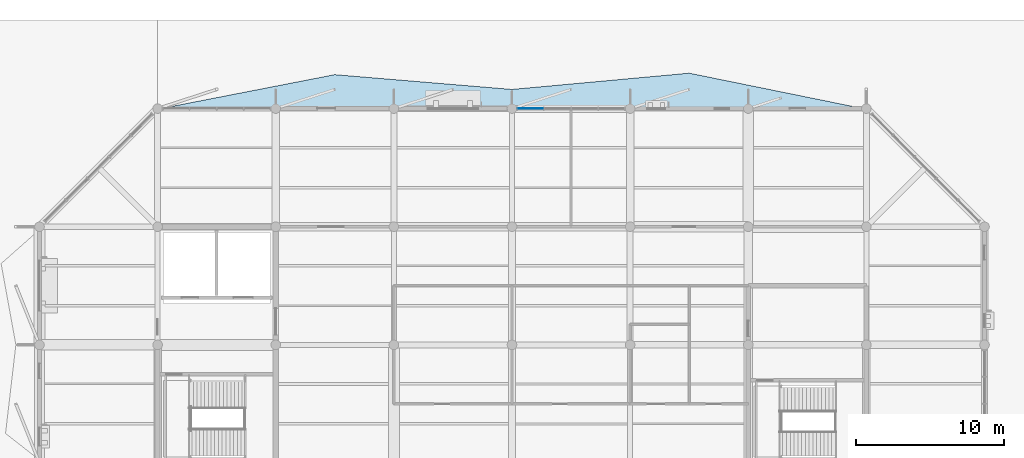
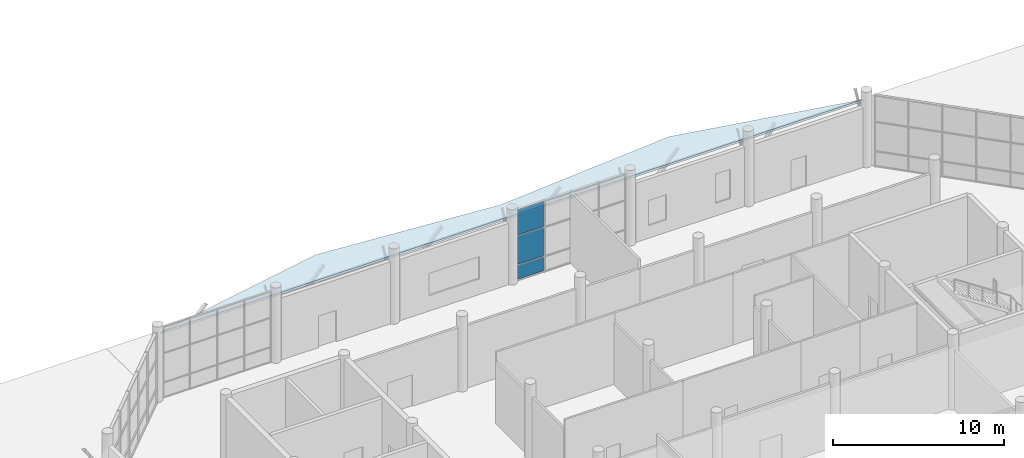
# One storey, part 87 of 123: 3 plates, 1 slab, 1 element without a shape of its own.
"""IFC4 building model written with IfcOpenShell, lengths in metres."""

from ifc_helpers import new_model, si_unit, direction, frame, origin, origin_2d, place, context, subcontext, project, spatial, polyline, rectangle, outline, extrude, material, layer, layer_set, type_object, element, aggregate, save


model = new_model("IFC4")

# Units and contexts
model_context = context("Model", 3, precision=1e-05, world=origin(), true_north=direction((0.0, 1.0)))
body_context = subcontext(model_context, "Body", "Model", "MODEL_VIEW")
ifc_project = project(units=[si_unit("LENGTHUNIT", "METRE"), si_unit("AREAUNIT", "SQUARE_METRE"), si_unit("VOLUMEUNIT", "CUBIC_METRE"), si_unit("PLANEANGLEUNIT", "RADIAN"), si_unit("MASSUNIT", "GRAM", prefix="KILO")], contexts=[model_context])

# Site, building, storey
site_placement = place(None, origin())
site = spatial("IfcSite", under=ifc_project, at=site_placement, CompositionType="ELEMENT")
building_placement = place(site_placement, origin())
building = spatial("IfcBuilding", under=site, at=building_placement, Name="Tenunan Teduh Sports Hall", CompositionType="ELEMENT")
storey_placement = place(building_placement, origin())
storey = spatial("IfcBuildingStorey", under=building, at=storey_placement, Name="L00", CompositionType="ELEMENT", Elevation=0.0)

# Curtain wall, plates
ifc_material_1 = material(Name="Anodised aluminium", Category="aluminium")
curtain_wall_type = type_object("IfcCurtainWallType", Name="CW-UNIT-1", PredefinedType="NOTDEFINED", material=ifc_material_1)
curtain_wall_placement = place(storey_placement, origin())
curtain_wall = element("IfcCurtainWall", 1, at=curtain_wall_placement, inside=storey, type_object=curtain_wall_type, Name="CW-CWM-200-L00-240", PredefinedType="NOTDEFINED")
ifc_material_2 = material(Name="Low-E laminated double glazing", Category="glass")
ifc_layer_1 = layer(ifc_material_2, 0.028076171875)
ifc_layer_set_1 = layer_set([ifc_layer_1], Name="Low-E laminated double glazing")
plate_type_1 = type_object("IfcPlateType", Name="CWP-GLZ-28", PredefinedType="CURTAIN_PANEL", material=ifc_layer_set_1)
plate_1_placement = place(storey_placement, frame((131.26123046875, 118.0, 1.134765625), z_axis=(0.0, 0.0, 1.0), x_axis=(1.0, 0.0, 0.0)))
plate_1 = element("IfcPlate", 2, at=plate_1_placement, type_object=plate_type_1, Name="CW-01 panel 1.2", PredefinedType="CURTAIN_PANEL", context=body_context, shape_type="SweptSolid", body=[
    extrude(rectangle(XDim=1.732421875, YDim=0.028076171875, at=origin_2d()), origin(), (0.0, 0.0, 1.0), 2.030029296875),
])
plate_2_placement = place(storey_placement, frame((131.26123046875, 118.0, 3.235107421875), z_axis=(0.0, 0.0, 1.0), x_axis=(1.0, 0.0, 0.0)))
plate_2 = element("IfcPlate", 3, at=plate_2_placement, type_object=plate_type_1, Name="CW-01 panel 1.3", PredefinedType="CURTAIN_PANEL", context=body_context, shape_type="SweptSolid", body=[
    extrude(rectangle(XDim=1.732421875, YDim=0.028076171875, at=origin_2d()), origin(), (0.0, 0.0, 1.0), 1.81494140625),
])
ifc_material_3 = material(Name="Insulated aluminium spandrel panel", Category="aluminium")
ifc_layer_2 = layer(ifc_material_3, 0.044921875)
ifc_layer_set_2 = layer_set([ifc_layer_2], Name="Insulated aluminium spandrel panel")
plate_type_2 = type_object("IfcPlateType", Name="CWP-SPN-45", PredefinedType="CURTAIN_PANEL", material=ifc_layer_set_2)
plate_3_placement = place(storey_placement, frame((131.26123046875, 118.0, 0.06982421875), z_axis=(0.0, 0.0, 1.0), x_axis=(1.0, 0.0, 0.0)))
plate_3 = element("IfcPlate", 4, at=plate_3_placement, type_object=plate_type_2, Name="CW-01 panel 1.1", PredefinedType="CURTAIN_PANEL", context=body_context, shape_type="SweptSolid", body=[
    extrude(rectangle(XDim=1.732421875, YDim=0.028076171875, at=origin_2d()), origin(), (0.0, 0.0, 1.0), 0.9951171875),
])
aggregate(curtain_wall, [plate_3, plate_1, plate_2])

# Slab
ifc_material_4 = material(Name="Concrete C40/50", Category="concrete")
ifc_layer_3 = layer(ifc_material_4, 0.159912109375)
ifc_layer_set_3 = layer_set([ifc_layer_3], Name="Concrete C40/50")
slab_type = type_object("IfcSlabType", Name="SLB-ROOF-160", PredefinedType="ROOF", material=ifc_layer_set_3)
slab_placement = place(storey_placement, frame((0.0, 0.0, 4.590087890625)))
element("IfcSlab", 5, at=slab_placement, inside=storey, type_object=slab_type, Name="Window Head Sun-Shade Hood SHD-RIB-V5E-N-L00", PredefinedType="ROOF", context=body_context, shape_type="SweptSolid", body=[
    extrude(outline(polyline([(106.199951171875, 118.0), (118.0, 120.300048828125), (130.0, 119.300048828125), (142.0, 120.39990234375), (153.800048828125, 118.0), (106.199951171875, 118.0)])), origin(), (0.0, 0.0, 1.0), 0.159912109375),
])

save(model, "model.ifc")
